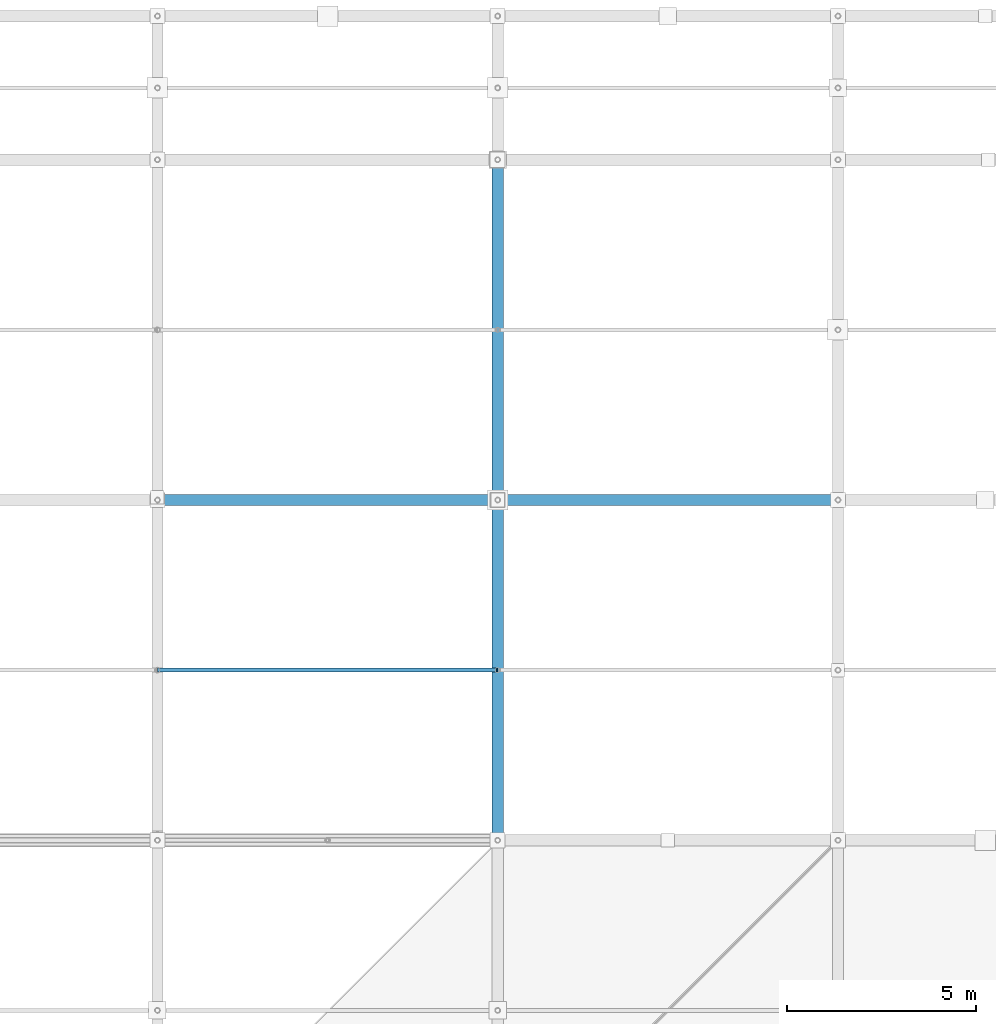
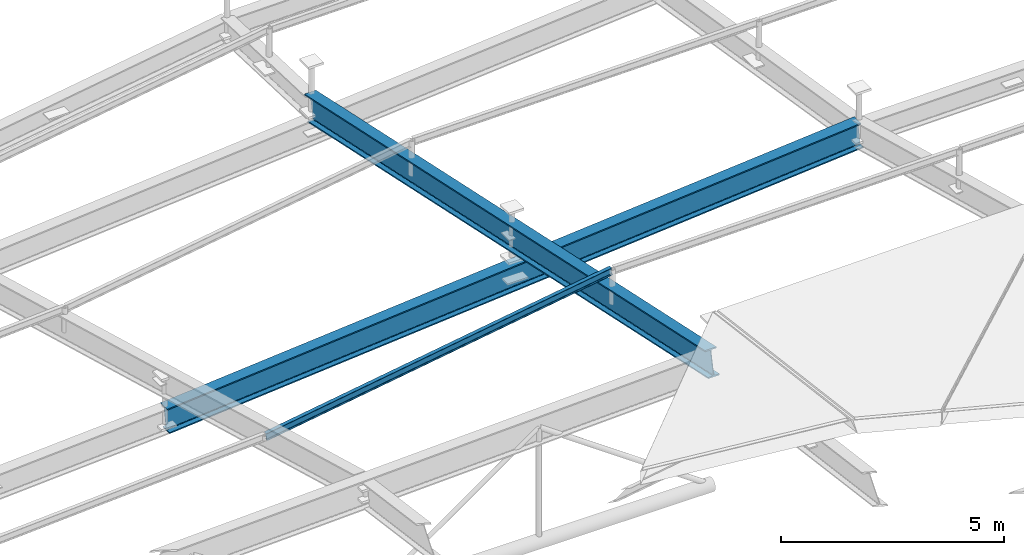
# One storey, part 47 of 80: 2 beams, 1 member.
"""IFC4 building model written with IfcOpenShell, lengths in metres."""

from ifc_helpers import new_model, si_unit, direction, frame, origin, origin_2d, place, context, subcontext, project, spatial, i_section, extrude, material, material_profile, profile_set, type_object, element, save


model = new_model("IFC4")

# Units and contexts
model_context = context("Model", 3, precision=1e-05, world=origin(), true_north=direction((0.0, 1.0)))
body_context = subcontext(model_context, "Body", "Model", "MODEL_VIEW")
ifc_project = project(units=[si_unit("LENGTHUNIT", "METRE"), si_unit("AREAUNIT", "SQUARE_METRE"), si_unit("VOLUMEUNIT", "CUBIC_METRE"), si_unit("PLANEANGLEUNIT", "RADIAN"), si_unit("MASSUNIT", "GRAM", prefix="KILO")], contexts=[model_context])

# Site, building, storey
site_placement = place(None, origin())
site = spatial("IfcSite", under=ifc_project, at=site_placement, CompositionType="ELEMENT")
building_placement = place(site_placement, origin())
building = spatial("IfcBuilding", under=site, at=building_placement, Name="Barlavento Convention Centre", CompositionType="ELEMENT")
storey_placement = place(building_placement, frame((0.0, 0.0, 29.800048828125)))
storey = spatial("IfcBuildingStorey", under=building, at=storey_placement, Name="RF", CompositionType="ELEMENT", Elevation=29.800048828125)

# Beams
ifc_material_1 = material(Name="Steel S460", Category="steel")
ifc_material_profile_1 = material_profile(ifc_material_1, i_section(OverallWidth=0.300048828125, OverallDepth=0.699951171875, WebThickness=0.01708984375, FlangeThickness=0.031982421875, FilletRadius=0.027099609375, at=origin_2d()), Name="HEB 700")
ifc_profile_set_1 = profile_set([ifc_material_profile_1], Name="Steel S460")
beam_type = type_object("IfcBeamType", Name="STR-BM-TRUSS-TOP-HEB700", PredefinedType="BEAM", material=ifc_profile_set_1)
beam_1_placement = place(storey_placement, frame((45.0048828125, 45.0, -4.8564453125), z_axis=(0.996341025885, 0.0, 0.085466719474), x_axis=(0.0, 1.0, 0.0)))
element("IfcBeam", 1, at=beam_1_placement, inside=storey, type_object=beam_type, Name="Congress roof truss space frame chord", PredefinedType="BEAM", context=body_context, shape_type="SweptSolid", body=[
    extrude(i_section(OverallWidth=0.300048828125, OverallDepth=0.699951171875, WebThickness=0.01708984375, FlangeThickness=0.031982421875, FilletRadius=0.027099609375, at=origin_2d()), origin(), (0.0, 0.0, 1.0), 18.056396484375),
])
beam_2_placement = place(storey_placement, frame((54.0, 36.0048828125, -1.029541015625), z_axis=(0.0, 0.977579764601, -0.210565438385), x_axis=(-1.0, 0.0, 0.0)))
element("IfcBeam", 2, at=beam_2_placement, inside=storey, type_object=beam_type, Name="Congress roof truss space frame chord", PredefinedType="BEAM", context=body_context, shape_type="SweptSolid", body=[
    extrude(i_section(OverallWidth=0.300048828125, OverallDepth=0.699951171875, WebThickness=0.01708984375, FlangeThickness=0.031982421875, FilletRadius=0.027099609375, at=origin_2d()), origin(), (0.0, 0.0, 1.0), 18.40283203125),
])

# Member
ifc_material_2 = material(Name="Steel S355", Category="steel")
ifc_material_profile_2 = material_profile(ifc_material_2, i_section(OverallWidth=0.10009765625, OverallDepth=0.199951171875, WebThickness=0.005615234375, FlangeThickness=0.008544921875, FilletRadius=0.011962890625, at=origin_2d()), Name="IPE 200")
ifc_profile_set_2 = profile_set([ifc_material_profile_2], Name="Steel S355")
member_type = type_object("IfcMemberType", Name="STR-MEM-PUR-IPE200", PredefinedType="PURLIN", material=ifc_profile_set_2)
member_placement = place(storey_placement, frame((45.02001953125, 40.5, -2.62451171875), z_axis=(0.987832268227, 0.0, 0.155523020322), x_axis=(0.0, 1.0, 0.0)))
element("IfcMember", 3, at=member_placement, inside=storey, type_object=member_type, Name="Congress roof intermediate purlin PR01", PredefinedType="PURLIN", context=body_context, shape_type="SweptSolid", body=[
    extrude(i_section(OverallWidth=0.10009765625, OverallDepth=0.199951171875, WebThickness=0.005615234375, FlangeThickness=0.008544921875, FilletRadius=0.011962890625, at=origin_2d()), origin(), (0.0, 0.0, 1.0), 9.0703125),
])

save(model, "model.ifc")
